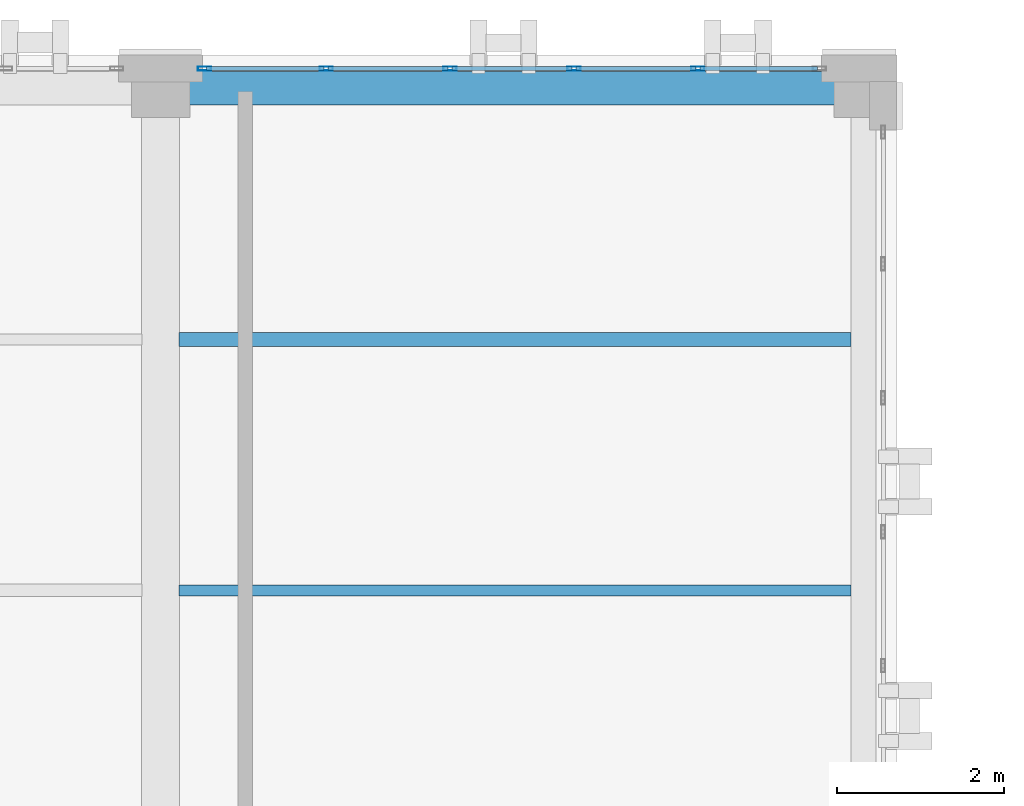
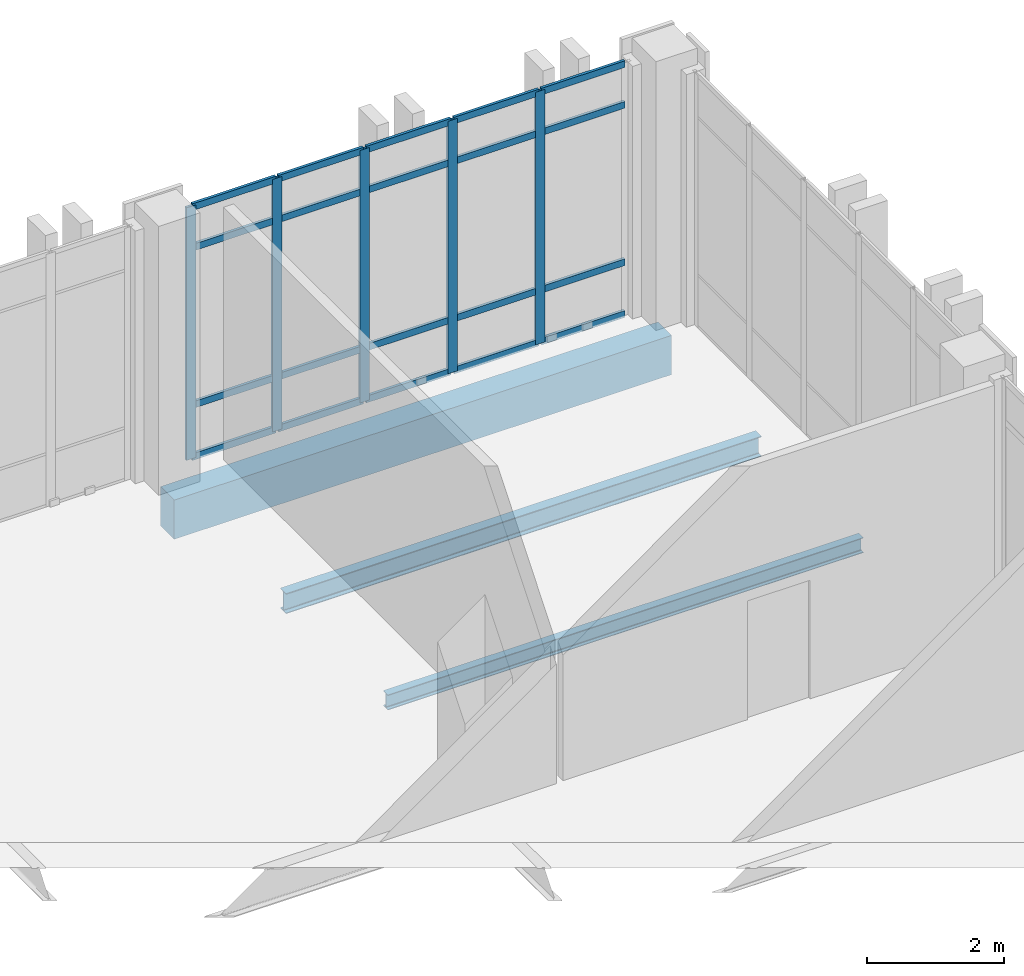
# One storey, part 98 of 189: 25 members, 3 beams, 1 element without a shape of its own.
"""IFC4 building model written with IfcOpenShell, lengths in metres."""

from ifc_helpers import new_model, si_unit, direction, frame, origin, origin_2d, place, context, subcontext, project, spatial, rectangle, hollow_rectangle, i_section, extrude, material, layer, layer_set, material_profile, profile_set, type_object, element, aggregate, save


model = new_model("IFC4")

# Units and contexts
model_context = context("Model", 3, precision=1e-05, world=origin(), true_north=direction((0.0, 1.0)))
body_context = subcontext(model_context, "Body", "Model", "MODEL_VIEW")
ifc_project = project(units=[si_unit("LENGTHUNIT", "METRE"), si_unit("AREAUNIT", "SQUARE_METRE"), si_unit("VOLUMEUNIT", "CUBIC_METRE"), si_unit("PLANEANGLEUNIT", "RADIAN"), si_unit("MASSUNIT", "GRAM", prefix="KILO")], contexts=[model_context])

# Site, building, storey
site_placement = place(None, origin())
site = spatial("IfcSite", under=ifc_project, at=site_placement, CompositionType="ELEMENT")
building_placement = place(site_placement, origin())
building = spatial("IfcBuilding", under=site, at=building_placement, Name="Qalavern Law Courts", CompositionType="ELEMENT")
storey_placement = place(building_placement, frame((0.0, 0.0, 5.39990234375)))
storey = spatial("IfcBuildingStorey", under=building, at=storey_placement, Name="L01", CompositionType="ELEMENT", Elevation=5.39990234375)

# Curtain wall, members
ifc_material_1 = material(Name="Anodised aluminium and insulated glazing", Category="aluminium")
ifc_layer = layer(ifc_material_1, 0.166015625)
ifc_layer_set = layer_set([ifc_layer], Name="Anodised aluminium and insulated glazing")
curtain_wall_type = type_object("IfcCurtainWallType", Name="ENV-CW-LIB", PredefinedType="USERDEFINED", material=ifc_layer_set)
curtain_wall_placement = place(storey_placement, origin())
curtain_wall = element("IfcCurtainWall", 1, at=curtain_wall_placement, inside=storey, type_object=curtain_wall_type, Name="V5 unitised curtain wall L01 north 1", ObjectType="UNITISED CURTAIN WALL", PredefinedType="USERDEFINED")
ifc_material_2 = material(Name="Anodised aluminium", Category="aluminium")
ifc_material_profile_1 = material_profile(ifc_material_2, hollow_rectangle(XDim=0.048095703125, YDim=0.159912109375, WallThickness=0.00390625, at=origin_2d()), Name="ALU MULLION 48x160")
ifc_profile_set_1 = profile_set([ifc_material_profile_1], Name="Anodised aluminium")
member_type_1 = type_object("IfcMemberType", Name="ENV-CWM-48x160", PredefinedType="MULLION", material=ifc_profile_set_1)
member_1_placement = place(storey_placement, frame((64.419921875, 112.83740234375, 0.0), z_axis=(0.0, 0.0, 1.0), x_axis=(0.0, -1.0, 0.0)))
member_1 = element("IfcMember", 2, at=member_1_placement, type_object=member_type_1, Name="CW-05 mullion 2", PredefinedType="MULLION", context=body_context, shape_type="SweptSolid", body=[
    extrude(hollow_rectangle(XDim=0.048095703125, YDim=0.159912109375, WallThickness=0.00390625, at=origin_2d()), origin(), (0.0, 0.0, 1.0), 4.510009765625),
])
member_2_placement = place(storey_placement, frame((62.93994140625, 112.83740234375, 0.0), z_axis=(0.0, 0.0, 1.0), x_axis=(0.0, -1.0, 0.0)))
member_2 = element("IfcMember", 3, at=member_2_placement, type_object=member_type_1, Name="CW-05 mullion 3", PredefinedType="MULLION", context=body_context, shape_type="SweptSolid", body=[
    extrude(hollow_rectangle(XDim=0.048095703125, YDim=0.159912109375, WallThickness=0.00390625, at=origin_2d()), origin(), (0.0, 0.0, 1.0), 4.510009765625),
])
member_3_placement = place(storey_placement, frame((61.4599609375, 112.83740234375, 0.0), z_axis=(0.0, 0.0, 1.0), x_axis=(0.0, -1.0, 0.0)))
member_3 = element("IfcMember", 4, at=member_3_placement, type_object=member_type_1, Name="CW-05 mullion 4", PredefinedType="MULLION", context=body_context, shape_type="SweptSolid", body=[
    extrude(hollow_rectangle(XDim=0.048095703125, YDim=0.159912109375, WallThickness=0.00390625, at=origin_2d()), origin(), (0.0, 0.0, 1.0), 4.510009765625),
])
member_4_placement = place(storey_placement, frame((59.97998046875, 112.83740234375, 0.0), z_axis=(0.0, 0.0, 1.0), x_axis=(0.0, -1.0, 0.0)))
member_4 = element("IfcMember", 5, at=member_4_placement, type_object=member_type_1, Name="CW-05 mullion 5", PredefinedType="MULLION", context=body_context, shape_type="SweptSolid", body=[
    extrude(hollow_rectangle(XDim=0.048095703125, YDim=0.159912109375, WallThickness=0.00390625, at=origin_2d()), origin(), (0.0, 0.0, 1.0), 4.510009765625),
])
member_5_placement = place(storey_placement, frame((58.52392578125, 112.83740234375, 0.0), z_axis=(0.0, 0.0, 1.0), x_axis=(0.0, -1.0, 0.0)))
member_5 = element("IfcMember", 6, at=member_5_placement, type_object=member_type_1, Name="CW-05 mullion 6", PredefinedType="MULLION", context=body_context, shape_type="SweptSolid", body=[
    extrude(hollow_rectangle(XDim=0.048095703125, YDim=0.159912109375, WallThickness=0.00390625, at=origin_2d()), origin(), (0.0, 0.0, 1.0), 4.510009765625),
])
ifc_material_profile_2 = material_profile(ifc_material_2, hollow_rectangle(XDim=0.048095703125, YDim=0.1201171875, WallThickness=0.00390625, at=origin_2d()), Name="ALU TRANSOM 48x120")
ifc_profile_set_2 = profile_set([ifc_material_profile_2], Name="Anodised aluminium")
member_type_2 = type_object("IfcMemberType", Name="ENV-CWT-48x120", PredefinedType="USERDEFINED", material=ifc_profile_set_2)
member_6_placement = place(storey_placement, frame((65.85205078125, 112.83740234375, 0.024169921875), z_axis=(-1.0, 0.0, 0.0), x_axis=(0.0, -1.0, 0.0)))
member_6 = element("IfcMember", 7, at=member_6_placement, type_object=member_type_2, Name="CW-05 transom 1.1", ObjectType="TRANSOM", PredefinedType="USERDEFINED", context=body_context, shape_type="SweptSolid", body=[
    extrude(hollow_rectangle(XDim=0.048095703125, YDim=0.1201171875, WallThickness=0.00390625, at=origin_2d()), origin(), (0.0, 0.0, 1.0), 1.407958984375),
])
member_7_placement = place(storey_placement, frame((65.85205078125, 112.83740234375, 0.9501953125), z_axis=(-1.0, 0.0, 0.0), x_axis=(0.0, -1.0, 0.0)))
member_7 = element("IfcMember", 8, at=member_7_placement, type_object=member_type_2, Name="CW-05 transom 1.2", ObjectType="TRANSOM", PredefinedType="USERDEFINED", context=body_context, shape_type="SweptSolid", body=[
    extrude(hollow_rectangle(XDim=0.048095703125, YDim=0.1201171875, WallThickness=0.00390625, at=origin_2d()), origin(), (0.0, 0.0, 1.0), 1.407958984375),
])
member_8_placement = place(storey_placement, frame((65.85205078125, 112.83740234375, 3.760009765625), z_axis=(-1.0, 0.0, 0.0), x_axis=(0.0, -1.0, 0.0)))
member_8 = element("IfcMember", 9, at=member_8_placement, type_object=member_type_2, Name="CW-05 transom 1.3", ObjectType="TRANSOM", PredefinedType="USERDEFINED", context=body_context, shape_type="SweptSolid", body=[
    extrude(hollow_rectangle(XDim=0.048095703125, YDim=0.1201171875, WallThickness=0.00390625, at=origin_2d()), origin(), (0.0, 0.0, 1.0), 1.407958984375),
])
member_9_placement = place(storey_placement, frame((65.85205078125, 112.83740234375, 4.486083984375), z_axis=(-1.0, 0.0, 0.0), x_axis=(0.0, -1.0, 0.0)))
member_9 = element("IfcMember", 10, at=member_9_placement, type_object=member_type_2, Name="CW-05 transom 1.4", ObjectType="TRANSOM", PredefinedType="USERDEFINED", context=body_context, shape_type="SweptSolid", body=[
    extrude(hollow_rectangle(XDim=0.048095703125, YDim=0.1201171875, WallThickness=0.00390625, at=origin_2d()), origin(), (0.0, 0.0, 1.0), 1.407958984375),
])
member_10_placement = place(storey_placement, frame((64.39599609375, 112.83740234375, 0.024169921875), z_axis=(-1.0, 0.0, 0.0), x_axis=(0.0, -1.0, 0.0)))
member_10 = element("IfcMember", 11, at=member_10_placement, type_object=member_type_2, Name="CW-05 transom 2.1", ObjectType="TRANSOM", PredefinedType="USERDEFINED", context=body_context, shape_type="SweptSolid", body=[
    extrude(hollow_rectangle(XDim=0.048095703125, YDim=0.1201171875, WallThickness=0.00390625, at=origin_2d()), origin(), (0.0, 0.0, 1.0), 1.431884765625),
])
member_11_placement = place(storey_placement, frame((64.39599609375, 112.83740234375, 0.9501953125), z_axis=(-1.0, 0.0, 0.0), x_axis=(0.0, -1.0, 0.0)))
member_11 = element("IfcMember", 12, at=member_11_placement, type_object=member_type_2, Name="CW-05 transom 2.2", ObjectType="TRANSOM", PredefinedType="USERDEFINED", context=body_context, shape_type="SweptSolid", body=[
    extrude(hollow_rectangle(XDim=0.048095703125, YDim=0.1201171875, WallThickness=0.00390625, at=origin_2d()), origin(), (0.0, 0.0, 1.0), 1.431884765625),
])
member_12_placement = place(storey_placement, frame((64.39599609375, 112.83740234375, 3.760009765625), z_axis=(-1.0, 0.0, 0.0), x_axis=(0.0, -1.0, 0.0)))
member_12 = element("IfcMember", 13, at=member_12_placement, type_object=member_type_2, Name="CW-05 transom 2.3", ObjectType="TRANSOM", PredefinedType="USERDEFINED", context=body_context, shape_type="SweptSolid", body=[
    extrude(hollow_rectangle(XDim=0.048095703125, YDim=0.1201171875, WallThickness=0.00390625, at=origin_2d()), origin(), (0.0, 0.0, 1.0), 1.431884765625),
])
member_13_placement = place(storey_placement, frame((64.39599609375, 112.83740234375, 4.486083984375), z_axis=(-1.0, 0.0, 0.0), x_axis=(0.0, -1.0, 0.0)))
member_13 = element("IfcMember", 14, at=member_13_placement, type_object=member_type_2, Name="CW-05 transom 2.4", ObjectType="TRANSOM", PredefinedType="USERDEFINED", context=body_context, shape_type="SweptSolid", body=[
    extrude(hollow_rectangle(XDim=0.048095703125, YDim=0.1201171875, WallThickness=0.00390625, at=origin_2d()), origin(), (0.0, 0.0, 1.0), 1.431884765625),
])
member_14_placement = place(storey_placement, frame((62.916015625, 112.83740234375, 0.024169921875), z_axis=(-1.0, 0.0, 0.0), x_axis=(0.0, -1.0, 0.0)))
member_14 = element("IfcMember", 15, at=member_14_placement, type_object=member_type_2, Name="CW-05 transom 3.1", ObjectType="TRANSOM", PredefinedType="USERDEFINED", context=body_context, shape_type="SweptSolid", body=[
    extrude(hollow_rectangle(XDim=0.048095703125, YDim=0.1201171875, WallThickness=0.00390625, at=origin_2d()), origin(), (0.0, 0.0, 1.0), 1.43212890625),
])
member_15_placement = place(storey_placement, frame((62.916015625, 112.83740234375, 0.9501953125), z_axis=(-1.0, 0.0, 0.0), x_axis=(0.0, -1.0, 0.0)))
member_15 = element("IfcMember", 16, at=member_15_placement, type_object=member_type_2, Name="CW-05 transom 3.2", ObjectType="TRANSOM", PredefinedType="USERDEFINED", context=body_context, shape_type="SweptSolid", body=[
    extrude(hollow_rectangle(XDim=0.048095703125, YDim=0.1201171875, WallThickness=0.00390625, at=origin_2d()), origin(), (0.0, 0.0, 1.0), 1.43212890625),
])
member_16_placement = place(storey_placement, frame((62.916015625, 112.83740234375, 3.760009765625), z_axis=(-1.0, 0.0, 0.0), x_axis=(0.0, -1.0, 0.0)))
member_16 = element("IfcMember", 17, at=member_16_placement, type_object=member_type_2, Name="CW-05 transom 3.3", ObjectType="TRANSOM", PredefinedType="USERDEFINED", context=body_context, shape_type="SweptSolid", body=[
    extrude(hollow_rectangle(XDim=0.048095703125, YDim=0.1201171875, WallThickness=0.00390625, at=origin_2d()), origin(), (0.0, 0.0, 1.0), 1.43212890625),
])
member_17_placement = place(storey_placement, frame((62.916015625, 112.83740234375, 4.486083984375), z_axis=(-1.0, 0.0, 0.0), x_axis=(0.0, -1.0, 0.0)))
member_17 = element("IfcMember", 18, at=member_17_placement, type_object=member_type_2, Name="CW-05 transom 3.4", ObjectType="TRANSOM", PredefinedType="USERDEFINED", context=body_context, shape_type="SweptSolid", body=[
    extrude(hollow_rectangle(XDim=0.048095703125, YDim=0.1201171875, WallThickness=0.00390625, at=origin_2d()), origin(), (0.0, 0.0, 1.0), 1.43212890625),
])
member_18_placement = place(storey_placement, frame((61.43603515625, 112.83740234375, 0.024169921875), z_axis=(-1.0, 0.0, 0.0), x_axis=(0.0, -1.0, 0.0)))
member_18 = element("IfcMember", 19, at=member_18_placement, type_object=member_type_2, Name="CW-05 transom 4.1", ObjectType="TRANSOM", PredefinedType="USERDEFINED", context=body_context, shape_type="SweptSolid", body=[
    extrude(hollow_rectangle(XDim=0.048095703125, YDim=0.1201171875, WallThickness=0.00390625, at=origin_2d()), origin(), (0.0, 0.0, 1.0), 1.43212890625),
])
member_19_placement = place(storey_placement, frame((61.43603515625, 112.83740234375, 0.9501953125), z_axis=(-1.0, 0.0, 0.0), x_axis=(0.0, -1.0, 0.0)))
member_19 = element("IfcMember", 20, at=member_19_placement, type_object=member_type_2, Name="CW-05 transom 4.2", ObjectType="TRANSOM", PredefinedType="USERDEFINED", context=body_context, shape_type="SweptSolid", body=[
    extrude(hollow_rectangle(XDim=0.048095703125, YDim=0.1201171875, WallThickness=0.00390625, at=origin_2d()), origin(), (0.0, 0.0, 1.0), 1.43212890625),
])
member_20_placement = place(storey_placement, frame((61.43603515625, 112.83740234375, 3.760009765625), z_axis=(-1.0, 0.0, 0.0), x_axis=(0.0, -1.0, 0.0)))
member_20 = element("IfcMember", 21, at=member_20_placement, type_object=member_type_2, Name="CW-05 transom 4.3", ObjectType="TRANSOM", PredefinedType="USERDEFINED", context=body_context, shape_type="SweptSolid", body=[
    extrude(hollow_rectangle(XDim=0.048095703125, YDim=0.1201171875, WallThickness=0.00390625, at=origin_2d()), origin(), (0.0, 0.0, 1.0), 1.43212890625),
])
member_21_placement = place(storey_placement, frame((61.43603515625, 112.83740234375, 4.486083984375), z_axis=(-1.0, 0.0, 0.0), x_axis=(0.0, -1.0, 0.0)))
member_21 = element("IfcMember", 22, at=member_21_placement, type_object=member_type_2, Name="CW-05 transom 4.4", ObjectType="TRANSOM", PredefinedType="USERDEFINED", context=body_context, shape_type="SweptSolid", body=[
    extrude(hollow_rectangle(XDim=0.048095703125, YDim=0.1201171875, WallThickness=0.00390625, at=origin_2d()), origin(), (0.0, 0.0, 1.0), 1.43212890625),
])
member_22_placement = place(storey_placement, frame((59.9560546875, 112.83740234375, 0.024169921875), z_axis=(-1.0, 0.0, 0.0), x_axis=(0.0, -1.0, 0.0)))
member_22 = element("IfcMember", 23, at=member_22_placement, type_object=member_type_2, Name="CW-05 transom 5.1", ObjectType="TRANSOM", PredefinedType="USERDEFINED", context=body_context, shape_type="SweptSolid", body=[
    extrude(hollow_rectangle(XDim=0.048095703125, YDim=0.1201171875, WallThickness=0.00390625, at=origin_2d()), origin(), (0.0, 0.0, 1.0), 1.407958984375),
])
member_23_placement = place(storey_placement, frame((59.9560546875, 112.83740234375, 0.9501953125), z_axis=(-1.0, 0.0, 0.0), x_axis=(0.0, -1.0, 0.0)))
member_23 = element("IfcMember", 24, at=member_23_placement, type_object=member_type_2, Name="CW-05 transom 5.2", ObjectType="TRANSOM", PredefinedType="USERDEFINED", context=body_context, shape_type="SweptSolid", body=[
    extrude(hollow_rectangle(XDim=0.048095703125, YDim=0.1201171875, WallThickness=0.00390625, at=origin_2d()), origin(), (0.0, 0.0, 1.0), 1.407958984375),
])
member_24_placement = place(storey_placement, frame((59.9560546875, 112.83740234375, 3.760009765625), z_axis=(-1.0, 0.0, 0.0), x_axis=(0.0, -1.0, 0.0)))
member_24 = element("IfcMember", 25, at=member_24_placement, type_object=member_type_2, Name="CW-05 transom 5.3", ObjectType="TRANSOM", PredefinedType="USERDEFINED", context=body_context, shape_type="SweptSolid", body=[
    extrude(hollow_rectangle(XDim=0.048095703125, YDim=0.1201171875, WallThickness=0.00390625, at=origin_2d()), origin(), (0.0, 0.0, 1.0), 1.407958984375),
])
member_25_placement = place(storey_placement, frame((59.9560546875, 112.83740234375, 4.486083984375), z_axis=(-1.0, 0.0, 0.0), x_axis=(0.0, -1.0, 0.0)))
member_25 = element("IfcMember", 26, at=member_25_placement, type_object=member_type_2, Name="CW-05 transom 5.4", ObjectType="TRANSOM", PredefinedType="USERDEFINED", context=body_context, shape_type="SweptSolid", body=[
    extrude(hollow_rectangle(XDim=0.048095703125, YDim=0.1201171875, WallThickness=0.00390625, at=origin_2d()), origin(), (0.0, 0.0, 1.0), 1.407958984375),
])
aggregate(curtain_wall, [member_1, member_2, member_3, member_4, member_5, member_6, member_7, member_8, member_9, member_10, member_11, member_12, member_13, member_14, member_15, member_16, member_17, member_18, member_19, member_20, member_21, member_22, member_23, member_24, member_25])

# Beams
ifc_material_3 = material(Name="Steel S355", Category="steel")
ifc_material_profile_3 = material_profile(ifc_material_3, i_section(OverallWidth=0.135009765625, OverallDepth=0.27001953125, WebThickness=0.006591796875, FlangeThickness=0.01025390625, FilletRadius=0.014892578125, at=origin_2d()), Name="IPE 270")
ifc_profile_set_3 = profile_set([ifc_material_profile_3], Name="Steel S355")
beam_type_1 = type_object("IfcBeamType", Name="STR-JST-IPE270", PredefinedType="JOIST", material=ifc_profile_set_3)
beam_1_placement = place(storey_placement, frame((58.222900390625, 106.60009765625, -0.434814453125), z_axis=(1.0, 0.0, 0.0), x_axis=(0.0, 1.0, 0.0)))
element("IfcBeam", 27, at=beam_1_placement, inside=storey, type_object=beam_type_1, Name="V5 secondary joist 8.2.1 L01", PredefinedType="JOIST", context=body_context, shape_type="SweptSolid", body=[
    extrude(i_section(OverallWidth=0.135009765625, OverallDepth=0.27001953125, WebThickness=0.006591796875, FlangeThickness=0.01025390625, FilletRadius=0.014892578125, at=origin_2d()), origin(), (0.0, 0.0, 1.0), 8.029052734375),
])
ifc_material_profile_4 = material_profile(ifc_material_3, i_section(OverallWidth=0.169921875, OverallDepth=0.360107421875, WebThickness=0.008056640625, FlangeThickness=0.0126953125, FilletRadius=0.01806640625, at=origin_2d()), Name="IPE 360")
ifc_profile_set_4 = profile_set([ifc_material_profile_4], Name="Steel S355")
beam_type_2 = type_object("IfcBeamType", Name="STR-JST-IPE360", PredefinedType="JOIST", material=ifc_profile_set_4)
beam_2_placement = place(storey_placement, frame((58.222900390625, 109.60009765625, -0.47998046875), z_axis=(1.0, 0.0, 0.0), x_axis=(0.0, 1.0, 0.0)))
element("IfcBeam", 28, at=beam_2_placement, inside=storey, type_object=beam_type_2, Name="V5 secondary joist 8.2.2 L01", PredefinedType="JOIST", context=body_context, shape_type="SweptSolid", body=[
    extrude(i_section(OverallWidth=0.169921875, OverallDepth=0.360107421875, WebThickness=0.008056640625, FlangeThickness=0.0126953125, FilletRadius=0.01806640625, at=origin_2d()), origin(), (0.0, 0.0, 1.0), 8.029052734375),
])
ifc_material_4 = material(Name="Concrete C40/50", Category="concrete")
ifc_material_profile_5 = material_profile(ifc_material_4, rectangle(XDim=0.39990234375, YDim=0.699951171875, at=origin_2d()), Name="RC 400x700")
ifc_profile_set_5 = profile_set([ifc_material_profile_5], Name="Concrete C40/50")
beam_type_3 = type_object("IfcBeamType", Name="STR-SP-RC400x700", PredefinedType="SPANDREL", material=ifc_profile_set_5)
beam_3_placement = place(storey_placement, frame((58.0, 112.60009765625, -0.64990234375), z_axis=(1.0, 0.0, 0.0), x_axis=(0.0, 1.0, 0.0)))
element("IfcBeam", 29, at=beam_3_placement, inside=storey, type_object=beam_type_3, Name="V5 X-beam 3-8 L01", PredefinedType="SPANDREL", context=body_context, shape_type="SweptSolid", body=[
    extrude(rectangle(XDim=0.39990234375, YDim=0.699951171875, at=origin_2d()), origin(), (0.0, 0.0, 1.0), 8.39990234375),
])

save(model, "model.ifc")
